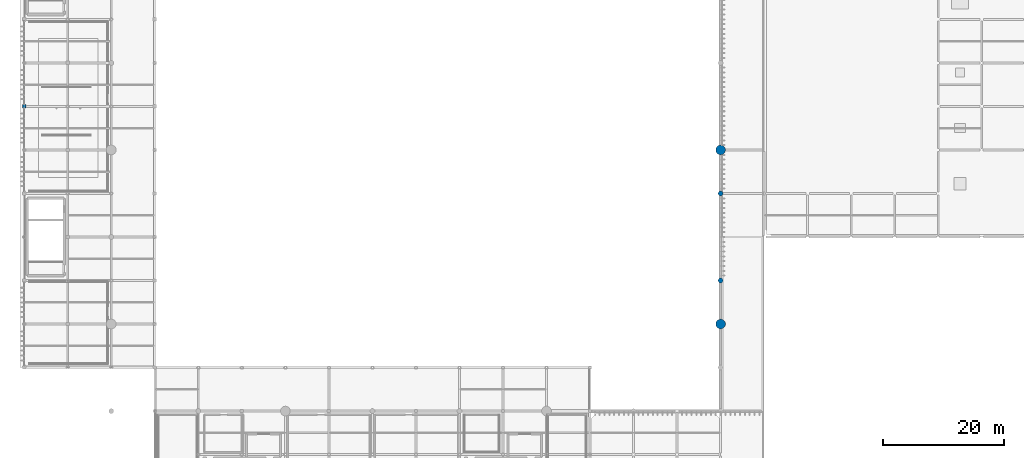
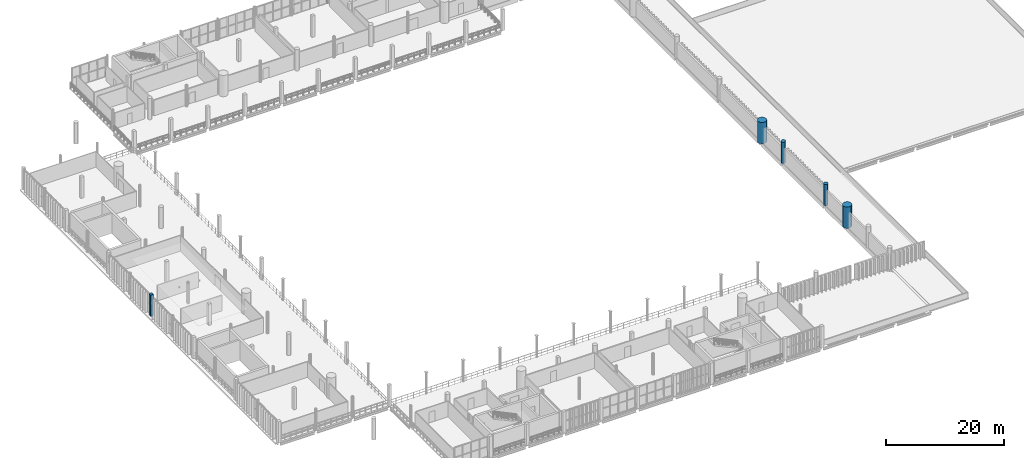
# One storey, part 5 of 81: 5 columns.
"""IFC4 building model written with IfcOpenShell, lengths in metres."""

from ifc_helpers import new_model, si_unit, direction, frame, origin, origin_2d, place, context, subcontext, project, spatial, rectangle, circle, extrude, material, material_profile, profile_set, type_object, element, save


model = new_model("IFC4")

# Units and contexts
model_context = context("Model", 3, precision=1e-05, world=origin(), true_north=direction((0.0, 1.0)))
body_context = subcontext(model_context, "Body", "Model", "MODEL_VIEW")
ifc_project = project(units=[si_unit("LENGTHUNIT", "METRE"), si_unit("AREAUNIT", "SQUARE_METRE"), si_unit("VOLUMEUNIT", "CUBIC_METRE"), si_unit("PLANEANGLEUNIT", "RADIAN"), si_unit("MASSUNIT", "GRAM", prefix="KILO")], contexts=[model_context])

# Site, building, storey
site_placement = place(None, origin())
site = spatial("IfcSite", under=ifc_project, at=site_placement, CompositionType="ELEMENT")
building_placement = place(site_placement, origin())
building = spatial("IfcBuilding", under=site, at=building_placement, Name="Qandorah Velis Arena", CompositionType="ELEMENT")
storey_placement = place(building_placement, frame((0.0, 0.0, 18.60009765625)))
storey = spatial("IfcBuildingStorey", under=building, at=storey_placement, Name="L04", CompositionType="ELEMENT", Elevation=18.60009765625)

# Columns
ifc_material_1 = material(Name="Concrete C50/60", Category="concrete")
ifc_material_profile_1 = material_profile(ifc_material_1, circle(Radius=0.800048828125, at=origin_2d()), Name="MC D1600")
ifc_profile_set_1 = profile_set([ifc_material_profile_1], Name="Concrete C50/60")
column_type_1 = type_object("IfcColumnType", Name="STR-COL-MC1600", PredefinedType="COLUMN", material=ifc_profile_set_1)
for number, where, z_axis, x_axis, name in (
    (1, (115.199951171875, 28.800048828125, 0.0), (0.0, 0.0, 1.0), (1.0, 0.0, 0.0), "Mega column MC8 (L04)"),
    (2, (115.199951171875, 57.60009765625, 0.0), (0.0, 0.0, 1.0), (1.0, 0.0, 0.0), "Mega column MC9 (L04)"),
):
    element("IfcColumn", number, at=place(storey_placement, frame(where, z_axis=z_axis, x_axis=x_axis)), inside=storey, type_object=column_type_1, Name=name, PredefinedType="COLUMN", context=body_context, shape_type="SweptSolid", body=[
        extrude(circle(Radius=0.800048828125, at=origin_2d()), origin(), (0.0, 0.0, 1.0), 4.39990234375),
    ])
ifc_material_2 = material(Name="Concrete C40/50", Category="concrete")
ifc_material_profile_2 = material_profile(ifc_material_2, rectangle(XDim=0.550048828125, YDim=0.550048828125, at=origin_2d()), Name="RC COL 550x550")
ifc_profile_set_2 = profile_set([ifc_material_profile_2], Name="Concrete C40/50")
column_type_2 = type_object("IfcColumnType", Name="STR-COL-RC550", PredefinedType="COLUMN", material=ifc_profile_set_2)
column_placement = place(storey_placement, frame((0.0, 64.800048828125, 0.0), z_axis=(0.0, 0.0, 1.0), x_axis=(1.0, 0.0, 0.0)))
element("IfcColumn", 3, at=column_placement, inside=storey, type_object=column_type_2, Name="Structural column L04-006", PredefinedType="COLUMN", context=body_context, shape_type="SweptSolid", body=[
    extrude(rectangle(XDim=0.550048828125, YDim=0.550048828125, at=origin_2d()), origin(), (0.0, 0.0, 1.0), 4.39990234375),
])
ifc_material_profile_3 = material_profile(ifc_material_2, circle(Radius=0.39990234375, at=origin_2d()), Name="RC D800")
ifc_profile_set_3 = profile_set([ifc_material_profile_3], Name="Concrete C40/50")
column_type_3 = type_object("IfcColumnType", Name="STR-COL-RCD800", PredefinedType="COLUMN", material=ifc_profile_set_3)
for number, where, z_axis, x_axis, name in (
    (4, (115.199951171875, 36.0, 0.0), (0.0, 0.0, 1.0), (1.0, 0.0, 0.0), "Bowl drum ring column L04-141"),
    (5, (115.199951171875, 50.39990234375, 0.0), (0.0, 0.0, 1.0), (1.0, 0.0, 0.0), "Bowl drum ring column L04-142"),
):
    element("IfcColumn", number, at=place(storey_placement, frame(where, z_axis=z_axis, x_axis=x_axis)), inside=storey, type_object=column_type_3, Name=name, PredefinedType="COLUMN", context=body_context, shape_type="SweptSolid", body=[
        extrude(circle(Radius=0.39990234375, at=origin_2d()), origin(), (0.0, 0.0, 1.0), 4.39990234375),
    ])

save(model, "model.ifc")
